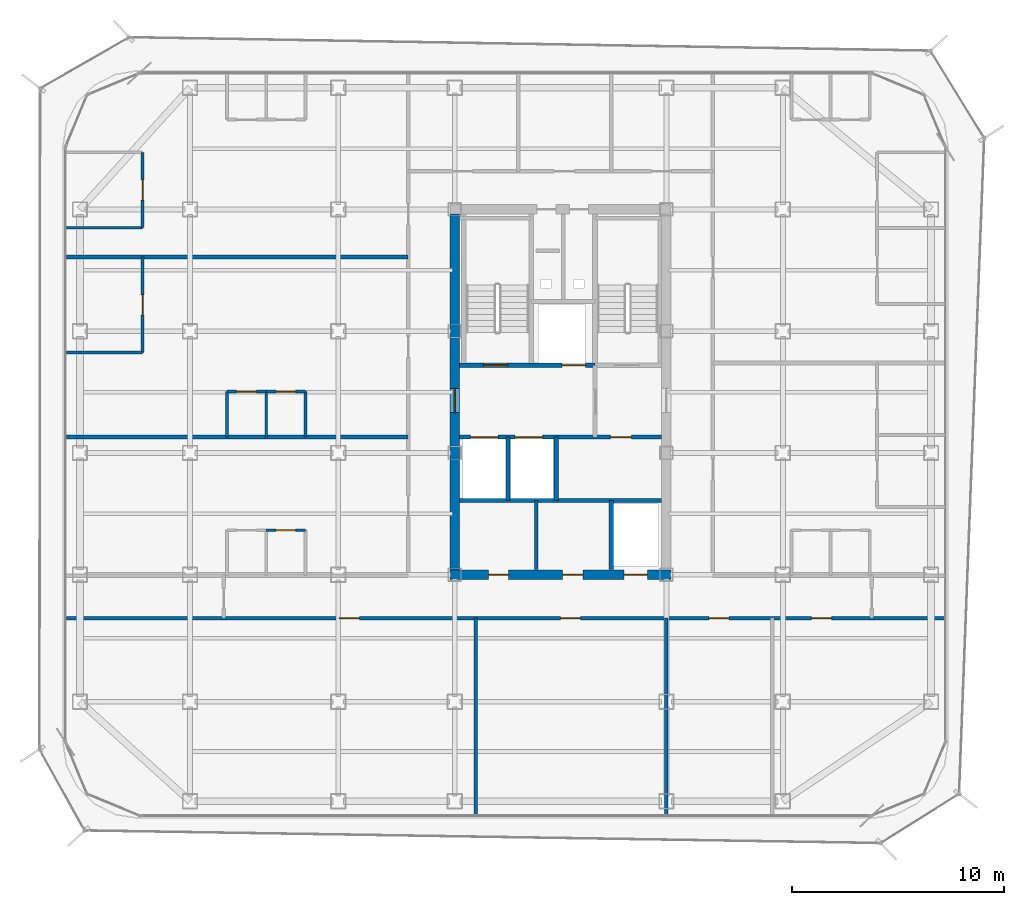
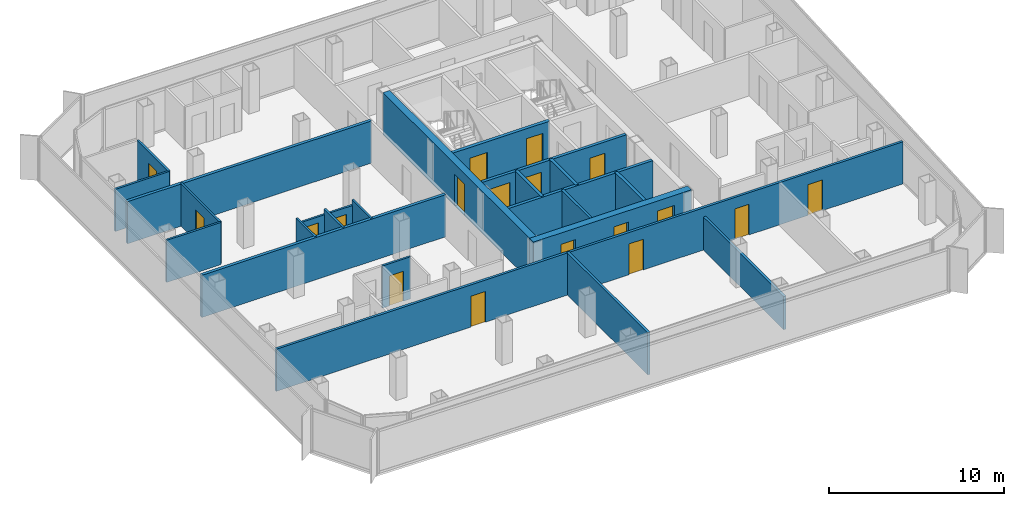
# One storey, part 10 of 15: 24 walls, 18 doors, 18 openings.
"""IFC4 building model written with IfcOpenShell, lengths in metres."""

from ifc_helpers import new_model, si_unit, direction, frame, frame_2d, origin, place, context, subcontext, project, spatial, rectangle, extrude, material, layer, layer_set, type_object, element, fill, save


model = new_model("IFC4")

# Units and contexts
model_context = context("Model", 3, precision=1e-05, world=origin(), true_north=direction((0.0, 1.0)))
body_context = subcontext(model_context, "Body", "Model", "MODEL_VIEW")
ifc_project = project(units=[si_unit("LENGTHUNIT", "METRE"), si_unit("AREAUNIT", "SQUARE_METRE"), si_unit("VOLUMEUNIT", "CUBIC_METRE"), si_unit("PLANEANGLEUNIT", "RADIAN"), si_unit("MASSUNIT", "GRAM", prefix="KILO")], contexts=[model_context])

# Site, building, storey
site_placement = place(None, origin())
site = spatial("IfcSite", under=ifc_project, at=site_placement, CompositionType="ELEMENT")
building_placement = place(site_placement, origin())
building = spatial("IfcBuilding", under=site, at=building_placement, Name="Kolveth Station Tower", CompositionType="ELEMENT")
storey_placement = place(building_placement, frame((0.0, 0.0, 172.10009765625)))
storey = spatial("IfcBuildingStorey", under=building, at=storey_placement, Name="L48", CompositionType="ELEMENT", Elevation=172.10009765625)

# Wall, openings, doors
ifc_material_1 = material(Name="Concrete C50/60", Category="concrete")
ifc_layer_1 = layer(ifc_material_1, 0.449951171875)
ifc_layer_set_1 = layer_set([ifc_layer_1], Name="Concrete C50/60")
wall_type_1 = type_object("IfcWallType", Name="Wall_CW-450", PredefinedType="SHEAR", material=ifc_layer_set_1)
wall_1_placement = place(storey_placement, frame((18.27490234375, 11.5, 0.0), z_axis=(0.0, 0.0, 1.0), x_axis=(1.0, 0.0, 0.0)))
wall_1 = element("IfcWall", 1, at=wall_1_placement, inside=storey, type_object=wall_type_1, Name="L48 Core RC Shear Wall S", PredefinedType="SHEAR", context=body_context, shape_type="SweptSolid", body=[
    extrude(rectangle(XDim=10.4501953125, YDim=0.449951171875, at=frame_2d((5.22509765625, 0.0))), origin(), (0.0, 0.0, 1.0), 2.949951171875),
])
opening_1_placement = place(wall_1_placement, frame((1.824951171875, 0.0, 0.0)))
opening_1 = element("IfcOpeningElement", 2, at=opening_1_placement, cuts=wall_1, Name="Opening ID1", PredefinedType="OPENING", context=body_context, shape_type="SweptSolid", body=[
    extrude(rectangle(XDim=0.949951171875, YDim=2.14990234375, at=frame_2d((0.47509765625, 1.074951171875))), frame((0.0, 0.23486328125, 0.0), z_axis=(0.0, -1.0, 0.0), x_axis=(1.0, 0.0, 0.0)), (0.0, 0.0, 1.0), 0.469970703125),
])
opening_2_placement = place(wall_1_placement, frame((5.324951171875, 0.0, 0.0)))
opening_2 = element("IfcOpeningElement", 3, at=opening_2_placement, cuts=wall_1, Name="Opening ID1", PredefinedType="OPENING", context=body_context, shape_type="SweptSolid", body=[
    extrude(rectangle(XDim=0.949951171875, YDim=2.14990234375, at=frame_2d((0.47509765625, 1.074951171875))), frame((0.0, 0.23486328125, 0.0), z_axis=(0.0, -1.0, 0.0), x_axis=(1.0, 0.0, 0.0)), (0.0, 0.0, 1.0), 0.469970703125),
])
opening_3_placement = place(wall_1_placement, frame((8.22509765625, 0.0, 0.0)))
opening_3 = element("IfcOpeningElement", 4, at=opening_3_placement, cuts=wall_1, Name="Opening LD1", PredefinedType="OPENING", context=body_context, shape_type="SweptSolid", body=[
    extrude(rectangle(XDim=1.10009765625, YDim=2.25, at=frame_2d((0.550048828125, 1.125))), frame((0.0, 0.23486328125, 0.0), z_axis=(0.0, -1.0, 0.0), x_axis=(1.0, 0.0, 0.0)), (0.0, 0.0, 1.0), 0.469970703125),
])
ifc_material_2 = material(Name="Acoustic hardwood leaf and aluminium frame", Category="wood")
door_type_1 = type_object("IfcDoorType", Name="Door_ID1", OperationType="NOTDEFINED", PredefinedType="DOOR", material=ifc_material_2)
door_1_placement = place(opening_1_placement, frame((0.949951171875, 0.0, 0.0), z_axis=(0.0, 0.0, 1.0), x_axis=(-1.0, 0.0, 0.0)))
door_1 = element("IfcDoor", 5, at=door_1_placement, inside=storey, type_object=door_type_1, Name="L48 Laundry Room Door", OperationType="SINGLE_SWING_LEFT", OverallHeight=2.14990234375, OverallWidth=0.949951171875, PredefinedType="DOOR", context=body_context, shape_type="SweptSolid", body=[
    extrude(rectangle(XDim=0.949951171875, YDim=2.14990234375, at=frame_2d((0.47509765625, 1.074951171875))), frame((0.0, 0.02490234375, 0.0), z_axis=(0.0, -1.0, 0.0), x_axis=(1.0, 0.0, 0.0)), (0.0, 0.0, 1.0), 0.050048828125),
])
fill(opening_1, door_1)
door_2_placement = place(opening_2_placement, frame((0.949951171875, 0.0, 0.0), z_axis=(0.0, 0.0, 1.0), x_axis=(-1.0, 0.0, 0.0)))
door_2 = element("IfcDoor", 6, at=door_2_placement, inside=storey, type_object=door_type_1, Name="L48 Parcel Room Door", OperationType="SINGLE_SWING_RIGHT", OverallHeight=2.14990234375, OverallWidth=0.949951171875, PredefinedType="DOOR", context=body_context, shape_type="SweptSolid", body=[
    extrude(rectangle(XDim=0.949951171875, YDim=2.14990234375, at=frame_2d((0.47509765625, 1.074951171875))), frame((0.0, 0.02490234375, 0.0), z_axis=(0.0, -1.0, 0.0), x_axis=(1.0, 0.0, 0.0)), (0.0, 0.0, 1.0), 0.050048828125),
])
fill(opening_2, door_2)
ifc_material_3 = material(Name="Brushed stainless steel sliding landing doors", Category="steel")
door_type_2 = type_object("IfcDoorType", Name="Door_LD1", OperationType="NOTDEFINED", PredefinedType="DOOR", material=ifc_material_3)
door_3_placement = place(opening_3_placement, frame((1.10009765625, 0.0, 0.0), z_axis=(0.0, 0.0, 1.0), x_axis=(-1.0, 0.0, 0.0)))
door_3 = element("IfcDoor", 7, at=door_3_placement, inside=storey, type_object=door_type_2, Name="L48 Lift PH1 Landing Door", OperationType="DOUBLE_DOOR_SLIDING", OverallHeight=2.25, OverallWidth=1.10009765625, PredefinedType="DOOR", context=body_context, shape_type="SweptSolid", body=[
    extrude(rectangle(XDim=1.10009765625, YDim=2.25, at=frame_2d((0.550048828125, 1.125))), frame((0.0, 0.02490234375, 0.0), z_axis=(0.0, -1.0, 0.0), x_axis=(1.0, 0.0, 0.0)), (0.0, 0.0, 1.0), 0.050048828125),
])
fill(opening_3, door_3)

# Wall, opening, door
wall_2_placement = place(storey_placement, frame((18.5, 11.72509765625, 0.0), z_axis=(0.0, 0.0, 1.0), x_axis=(0.0, 1.0, 0.0)))
wall_2 = element("IfcWall", 8, at=wall_2_placement, inside=storey, type_object=wall_type_1, Name="L48 Core RC Shear Wall W", PredefinedType="SHEAR", context=body_context, shape_type="SweptSolid", body=[
    extrude(rectangle(XDim=16.7998046875, YDim=0.449951171875, at=frame_2d((8.39990234375, 0.0))), origin(), (0.0, 0.0, 1.0), 2.949951171875),
])
opening_4_placement = place(wall_2_placement, frame((7.425048828125, 0.0, 0.0)))
opening_4 = element("IfcOpeningElement", 9, at=opening_4_placement, cuts=wall_2, Name="Opening FD1", PredefinedType="OPENING", context=body_context, shape_type="SweptSolid", body=[
    extrude(rectangle(XDim=1.14990234375, YDim=2.199951171875, at=frame_2d((0.574951171875, 1.10009765625))), frame((0.0, 0.23486328125, 0.0), z_axis=(0.0, -1.0, 0.0), x_axis=(1.0, 0.0, 0.0)), (0.0, 0.0, 1.0), 0.469970703125),
])
ifc_material_4 = material(Name="Fire-rated Steel S355 leaf and frame", Category="steel")
door_type_3 = type_object("IfcDoorType", Name="Door_FD1", OperationType="NOTDEFINED", PredefinedType="DOOR", material=ifc_material_4)
door_4_placement = place(opening_4_placement, frame((1.14990234375, 0.0, 0.0), z_axis=(0.0, 0.0, 1.0), x_axis=(-1.0, 0.0, 0.0)))
door_4 = element("IfcDoor", 10, at=door_4_placement, inside=storey, type_object=door_type_3, Name="L48 West Corridor to Firefighting Lobby Door", OperationType="SINGLE_SWING_LEFT", OverallHeight=2.199951171875, OverallWidth=1.14990234375, PredefinedType="DOOR", context=body_context, shape_type="SweptSolid", body=[
    extrude(rectangle(XDim=1.14990234375, YDim=2.199951171875, at=frame_2d((0.574951171875, 1.10009765625))), frame((0.0, 0.02490234375, 0.0), z_axis=(0.0, -1.0, 0.0), x_axis=(1.0, 0.0, 0.0)), (0.0, 0.0, 1.0), 0.050048828125),
])
fill(opening_4, door_4)

ifc_material_5 = material(Name="Moisture-resistant gypsum partition")
ifc_layer_2 = layer(ifc_material_5, 0.135009765625)
ifc_layer_set_2 = layer_set([ifc_layer_2], Name="Moisture-resistant gypsum partition")
wall_type_2 = type_object("IfcWallType", Name="Wall_IW-135", PredefinedType="PARTITIONING", material=ifc_layer_set_2)
wall_3_placement = place(storey_placement, frame((9.60009765625, 13.60009765625, 0.0), z_axis=(0.0, 0.0, 1.0), x_axis=(1.0, 0.0, 0.0)))
wall_3 = element("IfcWall", 11, at=wall_3_placement, inside=storey, type_object=wall_type_2, Name="L48 Partition Wall WL-L48-W1-IBHB", PredefinedType="PARTITIONING", context=body_context, shape_type="SweptSolid", body=[
    extrude(rectangle(XDim=1.849853515625, YDim=0.135009765625, at=frame_2d((0.9248046875, 0.0))), origin(), (0.0, 0.0, 1.0), 2.949951171875),
])
opening_5_placement = place(wall_3_placement, frame((0.465087890625, 0.0, 0.0)))
opening_5 = element("IfcOpeningElement", 12, at=opening_5_placement, cuts=wall_3, Name="Opening ID2", PredefinedType="OPENING", context=body_context, shape_type="SweptSolid", body=[
    extrude(rectangle(XDim=0.919921875, YDim=2.10009765625, at=frame_2d((0.4599609375, 1.050048828125))), frame((0.0, 0.077392578125, 0.0), z_axis=(0.0, -1.0, 0.0), x_axis=(1.0, 0.0, 0.0)), (0.0, 0.0, 1.0), 0.155029296875),
])
ifc_material_6 = material(Name="Moisture-resistant hardwood leaf", Category="wood")
door_type_4 = type_object("IfcDoorType", Name="Door_ID2", OperationType="NOTDEFINED", PredefinedType="DOOR", material=ifc_material_6)
door_5_placement = place(opening_5_placement, origin())
door_5 = element("IfcDoor", 13, at=door_5_placement, inside=storey, type_object=door_type_4, Name="Penthouse Flat L48-W1 Bathroom Door", OperationType="SINGLE_SWING_RIGHT", OverallHeight=2.10009765625, OverallWidth=0.919921875, PredefinedType="DOOR", context=body_context, shape_type="SweptSolid", body=[
    extrude(rectangle(XDim=0.919921875, YDim=2.10009765625, at=frame_2d((0.4599609375, 1.050048828125))), frame((0.0, 0.02490234375, 0.0), z_axis=(0.0, -1.0, 0.0), x_axis=(1.0, 0.0, 0.0)), (0.0, 0.0, 1.0), 0.050048828125),
])
fill(opening_5, door_5)

wall_4_placement = place(storey_placement, frame((7.75, 20.14990234375, 0.0), z_axis=(0.0, 0.0, 1.0), x_axis=(1.0, 0.0, 0.0)))
wall_4 = element("IfcWall", 14, at=wall_4_placement, inside=storey, type_object=wall_type_2, Name="L48 Partition Wall WL-L48-W2-IBHK", PredefinedType="PARTITIONING", context=body_context, shape_type="SweptSolid", body=[
    extrude(rectangle(XDim=1.85009765625, YDim=0.135009765625, at=frame_2d((0.925048828125, 0.0))), origin(), (0.0, 0.0, 1.0), 2.5830078125),
])
opening_6_placement = place(wall_4_placement, frame((0.445068359375, 0.0, 0.0)))
opening_6 = element("IfcOpeningElement", 15, at=opening_6_placement, cuts=wall_4, Name="Opening ID1", PredefinedType="OPENING", context=body_context, shape_type="SweptSolid", body=[
    extrude(rectangle(XDim=0.949951171875, YDim=2.14990234375, at=frame_2d((0.47509765625, 1.074951171875))), frame((0.0, 0.077392578125, 0.0), z_axis=(0.0, -1.0, 0.0), x_axis=(1.0, 0.0, 0.0)), (0.0, 0.0, 1.0), 0.155029296875),
])
door_6_placement = place(opening_6_placement, origin())
door_6 = element("IfcDoor", 16, at=door_6_placement, inside=storey, type_object=door_type_1, Name="Penthouse Flat L48-W2 Kitchen Door", OperationType="SINGLE_SWING_RIGHT", OverallHeight=2.14990234375, OverallWidth=0.949951171875, PredefinedType="DOOR", context=body_context, shape_type="SweptSolid", body=[
    extrude(rectangle(XDim=0.949951171875, YDim=2.14990234375, at=frame_2d((0.47509765625, 1.074951171875))), frame((0.0, 0.02490234375, 0.0), z_axis=(0.0, -1.0, 0.0), x_axis=(1.0, 0.0, 0.0)), (0.0, 0.0, 1.0), 0.050048828125),
])
fill(opening_6, door_6)

wall_5_placement = place(storey_placement, frame((9.60009765625, 20.14990234375, 0.0), z_axis=(0.0, 0.0, 1.0), x_axis=(1.0, 0.0, 0.0)))
wall_5 = element("IfcWall", 17, at=wall_5_placement, inside=storey, type_object=wall_type_2, Name="L48 Partition Wall WL-L48-W2-IBHB", PredefinedType="PARTITIONING", context=body_context, shape_type="SweptSolid", body=[
    extrude(rectangle(XDim=1.849853515625, YDim=0.135009765625, at=frame_2d((0.9248046875, 0.0))), origin(), (0.0, 0.0, 1.0), 2.5830078125),
])
opening_7_placement = place(wall_5_placement, frame((0.465087890625, 0.0, 0.0)))
opening_7 = element("IfcOpeningElement", 18, at=opening_7_placement, cuts=wall_5, Name="Opening ID2", PredefinedType="OPENING", context=body_context, shape_type="SweptSolid", body=[
    extrude(rectangle(XDim=0.919921875, YDim=2.10009765625, at=frame_2d((0.4599609375, 1.050048828125))), frame((0.0, 0.077392578125, 0.0), z_axis=(0.0, -1.0, 0.0), x_axis=(1.0, 0.0, 0.0)), (0.0, 0.0, 1.0), 0.155029296875),
])
door_7_placement = place(opening_7_placement, origin())
door_7 = element("IfcDoor", 19, at=door_7_placement, inside=storey, type_object=door_type_4, Name="Penthouse Flat L48-W2 Bathroom Door", OperationType="SINGLE_SWING_LEFT", OverallHeight=2.10009765625, OverallWidth=0.919921875, PredefinedType="DOOR", context=body_context, shape_type="SweptSolid", body=[
    extrude(rectangle(XDim=0.919921875, YDim=2.10009765625, at=frame_2d((0.4599609375, 1.050048828125))), frame((0.0, 0.02490234375, 0.0), z_axis=(0.0, -1.0, 0.0), x_axis=(1.0, 0.0, 0.0)), (0.0, 0.0, 1.0), 0.050048828125),
])
fill(opening_7, door_7)

# Walls
for number, where, z_axis, x_axis, name in (
    (20, (7.75, 18.0, 0.0), (0.0, 0.0, 1.0), (0.0, 1.0, 0.0), "L48 Partition Wall WL-L48-W2-IBV0"),
    (21, (9.60009765625, 18.0, 0.0), (0.0, 0.0, 1.0), (0.0, 1.0, 0.0), "L48 Partition Wall WL-L48-W2-IBV1"),
    (22, (11.449951171875, 18.0, 0.0), (0.0, 0.0, 1.0), (0.0, 1.0, 0.0), "L48 Partition Wall WL-L48-W2-IBV2"),
):
    element("IfcWall", number, at=place(storey_placement, frame(where, z_axis=z_axis, x_axis=x_axis)), inside=storey, type_object=wall_type_2, Name=name, PredefinedType="PARTITIONING", context=body_context, shape_type="SweptSolid", body=[
        extrude(rectangle(XDim=2.14990234375, YDim=0.135009765625, at=frame_2d((1.074951171875, 0.0))), origin(), (0.0, 0.0, 1.0), 2.949951171875),
    ])
wall_6_placement = place(storey_placement, frame((0.159912109375, 22.0, 0.0), z_axis=(0.0, 0.0, 1.0), x_axis=(1.0, 0.0, 0.0)))
element("IfcWall", 23, at=wall_6_placement, inside=storey, type_object=wall_type_2, Name="L48 Partition Wall WL-L48-W2-BDH0", PredefinedType="PARTITIONING", context=body_context, shape_type="SweptSolid", body=[
    extrude(rectangle(XDim=3.60009765625, YDim=0.135009765625, at=frame_2d((1.800048828125, 0.0))), origin(), (0.0, 0.0, 1.0), 2.949951171875),
])

# Wall, opening, door
wall_7_placement = place(storey_placement, frame((3.760009765625, 22.0, 0.0), z_axis=(0.0, 0.0, 1.0), x_axis=(0.0, 1.0, 0.0)))
wall_7 = element("IfcWall", 24, at=wall_7_placement, inside=storey, type_object=wall_type_2, Name="L48 Partition Wall WL-L48-W2-BDV1", PredefinedType="PARTITIONING", context=body_context, shape_type="SweptSolid", body=[
    extrude(rectangle(XDim=4.5, YDim=0.135009765625, at=frame_2d((2.25, 0.0))), origin(), (0.0, 0.0, 1.0), 2.949951171875),
])
opening_8_placement = place(wall_7_placement, frame((1.77001953125, 0.0, 0.0)))
opening_8 = element("IfcOpeningElement", 25, at=opening_8_placement, cuts=wall_7, Name="Opening ID1", PredefinedType="OPENING", context=body_context, shape_type="SweptSolid", body=[
    extrude(rectangle(XDim=0.949951171875, YDim=2.14990234375, at=frame_2d((0.47509765625, 1.074951171875))), frame((0.0, 0.077392578125, 0.0), z_axis=(0.0, -1.0, 0.0), x_axis=(1.0, 0.0, 0.0)), (0.0, 0.0, 1.0), 0.155029296875),
])
door_8_placement = place(opening_8_placement, origin())
door_8 = element("IfcDoor", 26, at=door_8_placement, inside=storey, type_object=door_type_1, Name="Penthouse Flat L48-W2 Bedroom 1 Door", OperationType="SINGLE_SWING_RIGHT", OverallHeight=2.14990234375, OverallWidth=0.949951171875, PredefinedType="DOOR", context=body_context, shape_type="SweptSolid", body=[
    extrude(rectangle(XDim=0.949951171875, YDim=2.14990234375, at=frame_2d((0.47509765625, 1.074951171875))), frame((0.0, 0.02490234375, 0.0), z_axis=(0.0, -1.0, 0.0), x_axis=(1.0, 0.0, 0.0)), (0.0, 0.0, 1.0), 0.050048828125),
])
fill(opening_8, door_8)

# Wall
wall_8_placement = place(storey_placement, frame((0.159912109375, 27.885986328125, 0.0), z_axis=(0.0, 0.0, 1.0), x_axis=(1.0, 0.0, 0.0)))
element("IfcWall", 27, at=wall_8_placement, inside=storey, type_object=wall_type_2, Name="L48 Partition Wall WL-L48-W3-BDH0", PredefinedType="PARTITIONING", context=body_context, shape_type="SweptSolid", body=[
    extrude(rectangle(XDim=3.60009765625, YDim=0.135009765625, at=frame_2d((1.800048828125, 0.0))), origin(), (0.0, 0.0, 1.0), 2.949951171875),
])

# Wall, opening, door
wall_9_placement = place(storey_placement, frame((3.760009765625, 27.885986328125, 0.0), z_axis=(0.0, 0.0, 1.0), x_axis=(0.0, 1.0, 0.0)))
wall_9 = element("IfcWall", 28, at=wall_9_placement, inside=storey, type_object=wall_type_2, Name="L48 Partition Wall WL-L48-W3-BDV1", PredefinedType="PARTITIONING", context=body_context, shape_type="SweptSolid", body=[
    extrude(rectangle(XDim=3.56396484375, YDim=0.135009765625, at=frame_2d((1.781982421875, 0.0))), origin(), (0.0, 0.0, 1.0), 2.949951171875),
])
opening_9_placement = place(wall_9_placement, frame((1.302001953125, 0.0, 0.0)))
opening_9 = element("IfcOpeningElement", 29, at=opening_9_placement, cuts=wall_9, Name="Opening ID1", PredefinedType="OPENING", context=body_context, shape_type="SweptSolid", body=[
    extrude(rectangle(XDim=0.949951171875, YDim=2.14990234375, at=frame_2d((0.47509765625, 1.074951171875))), frame((0.0, 0.077392578125, 0.0), z_axis=(0.0, -1.0, 0.0), x_axis=(1.0, 0.0, 0.0)), (0.0, 0.0, 1.0), 0.155029296875),
])
door_9_placement = place(opening_9_placement, origin())
door_9 = element("IfcDoor", 30, at=door_9_placement, inside=storey, type_object=door_type_1, Name="Penthouse Flat L48-W3 Bedroom 1 Door", OperationType="SINGLE_SWING_RIGHT", OverallHeight=2.14990234375, OverallWidth=0.949951171875, PredefinedType="DOOR", context=body_context, shape_type="SweptSolid", body=[
    extrude(rectangle(XDim=0.949951171875, YDim=2.14990234375, at=frame_2d((0.47509765625, 1.074951171875))), frame((0.0, 0.02490234375, 0.0), z_axis=(0.0, -1.0, 0.0), x_axis=(1.0, 0.0, 0.0)), (0.0, 0.0, 1.0), 0.050048828125),
])
fill(opening_9, door_9)

# Wall
ifc_material_7 = material(Name="Acoustic double-stud gypsum partition")
ifc_layer_3 = layer(ifc_material_7, 0.1650390625)
ifc_layer_set_3 = layer_set([ifc_layer_3], Name="Acoustic double-stud gypsum partition")
wall_type_3 = type_object("IfcWallType", Name="Wall_IW-165", PredefinedType="PARTITIONING", material=ifc_layer_set_3)
wall_10_placement = place(storey_placement, frame((22.35009765625, 11.735107421875, 0.0), z_axis=(0.0, 0.0, 1.0), x_axis=(0.0, 1.0, 0.0)))
element("IfcWall", 31, at=wall_10_placement, inside=storey, type_object=wall_type_3, Name="L48 Partition Wall WL-L48-FR-M", PredefinedType="PARTITIONING", context=body_context, shape_type="SweptSolid", body=[
    extrude(rectangle(XDim=3.264892578125, YDim=0.1650390625, at=frame_2d((1.63232421875, 0.0))), origin(), (0.0, 0.0, 1.0), 2.949951171875),
])

# Wall, openings, doors
wall_11_placement = place(storey_placement, frame((0.159912109375, 9.449951171875, 0.0), z_axis=(0.0, 0.0, 1.0), x_axis=(1.0, 0.0, 0.0)))
wall_11 = element("IfcWall", 32, at=wall_11_placement, inside=storey, type_object=wall_type_3, Name="L48 Partition Wall WL-L48-RS", PredefinedType="PARTITIONING", context=body_context, shape_type="SweptSolid", body=[
    extrude(rectangle(XDim=41.47998046875, YDim=0.1650390625, at=frame_2d((20.739990234375, 0.0))), origin(), (0.0, 0.0, 1.0), 2.949951171875),
])
opening_10_placement = place(wall_11_placement, frame((12.889892578125, 0.0, 0.0)))
opening_10 = element("IfcOpeningElement", 33, at=opening_10_placement, cuts=wall_11, Name="Opening ID1", PredefinedType="OPENING", context=body_context, shape_type="SweptSolid", body=[
    extrude(rectangle(XDim=0.949951171875, YDim=2.14990234375, at=frame_2d((0.47509765625, 1.074951171875))), frame((0.0, 0.092529296875, 0.0), z_axis=(0.0, -1.0, 0.0), x_axis=(1.0, 0.0, 0.0)), (0.0, 0.0, 1.0), 0.18505859375),
])
opening_11_placement = place(wall_11_placement, frame((23.340087890625, 0.0, 0.0)))
opening_11 = element("IfcOpeningElement", 34, at=opening_11_placement, cuts=wall_11, Name="Opening ID1", PredefinedType="OPENING", context=body_context, shape_type="SweptSolid", body=[
    extrude(rectangle(XDim=0.949951171875, YDim=2.14990234375, at=frame_2d((0.47509765625, 1.074951171875))), frame((0.0, 0.092529296875, 0.0), z_axis=(0.0, -1.0, 0.0), x_axis=(1.0, 0.0, 0.0)), (0.0, 0.0, 1.0), 0.18505859375),
])
opening_12_placement = place(wall_11_placement, frame((30.340087890625, 0.0, 0.0)))
opening_12 = element("IfcOpeningElement", 35, at=opening_12_placement, cuts=wall_11, Name="Opening ID1", PredefinedType="OPENING", context=body_context, shape_type="SweptSolid", body=[
    extrude(rectangle(XDim=0.949951171875, YDim=2.14990234375, at=frame_2d((0.47509765625, 1.074951171875))), frame((0.0, 0.092529296875, 0.0), z_axis=(0.0, -1.0, 0.0), x_axis=(1.0, 0.0, 0.0)), (0.0, 0.0, 1.0), 0.18505859375),
])
opening_13_placement = place(wall_11_placement, frame((35.18994140625, 0.0, 0.0)))
opening_13 = element("IfcOpeningElement", 36, at=opening_13_placement, cuts=wall_11, Name="Opening ID1", PredefinedType="OPENING", context=body_context, shape_type="SweptSolid", body=[
    extrude(rectangle(XDim=0.949951171875, YDim=2.14990234375, at=frame_2d((0.47509765625, 1.074951171875))), frame((0.0, 0.092529296875, 0.0), z_axis=(0.0, -1.0, 0.0), x_axis=(1.0, 0.0, 0.0)), (0.0, 0.0, 1.0), 0.18505859375),
])
door_10_placement = place(opening_10_placement, frame((0.949951171875, 0.0, 0.0), z_axis=(0.0, 0.0, 1.0), x_axis=(-1.0, 0.0, 0.0)))
door_10 = element("IfcDoor", 37, at=door_10_placement, inside=storey, type_object=door_type_1, Name="L48 Residents' Fitness Gymnasium Door", OperationType="SINGLE_SWING_LEFT", OverallHeight=2.14990234375, OverallWidth=0.949951171875, PredefinedType="DOOR", context=body_context, shape_type="SweptSolid", body=[
    extrude(rectangle(XDim=0.949951171875, YDim=2.14990234375, at=frame_2d((0.47509765625, 1.074951171875))), frame((0.0, 0.02490234375, 0.0), z_axis=(0.0, -1.0, 0.0), x_axis=(1.0, 0.0, 0.0)), (0.0, 0.0, 1.0), 0.050048828125),
])
fill(opening_10, door_10)
door_11_placement = place(opening_11_placement, frame((0.949951171875, 0.0, 0.0), z_axis=(0.0, 0.0, 1.0), x_axis=(-1.0, 0.0, 0.0)))
door_11 = element("IfcDoor", 38, at=door_11_placement, inside=storey, type_object=door_type_1, Name="L48 Residents' Reading Library Door", OperationType="SINGLE_SWING_RIGHT", OverallHeight=2.14990234375, OverallWidth=0.949951171875, PredefinedType="DOOR", context=body_context, shape_type="SweptSolid", body=[
    extrude(rectangle(XDim=0.949951171875, YDim=2.14990234375, at=frame_2d((0.47509765625, 1.074951171875))), frame((0.0, 0.02490234375, 0.0), z_axis=(0.0, -1.0, 0.0), x_axis=(1.0, 0.0, 0.0)), (0.0, 0.0, 1.0), 0.050048828125),
])
fill(opening_11, door_11)
door_12_placement = place(opening_12_placement, frame((0.949951171875, 0.0, 0.0), z_axis=(0.0, 0.0, 1.0), x_axis=(-1.0, 0.0, 0.0)))
door_12 = element("IfcDoor", 39, at=door_12_placement, inside=storey, type_object=door_type_1, Name="L48 Residents' Pantry Door", OperationType="SINGLE_SWING_LEFT", OverallHeight=2.14990234375, OverallWidth=0.949951171875, PredefinedType="DOOR", context=body_context, shape_type="SweptSolid", body=[
    extrude(rectangle(XDim=0.949951171875, YDim=2.14990234375, at=frame_2d((0.47509765625, 1.074951171875))), frame((0.0, 0.02490234375, 0.0), z_axis=(0.0, -1.0, 0.0), x_axis=(1.0, 0.0, 0.0)), (0.0, 0.0, 1.0), 0.050048828125),
])
fill(opening_12, door_12)
door_13_placement = place(opening_13_placement, frame((0.949951171875, 0.0, 0.0), z_axis=(0.0, 0.0, 1.0), x_axis=(-1.0, 0.0, 0.0)))
door_13 = element("IfcDoor", 40, at=door_13_placement, inside=storey, type_object=door_type_1, Name="L48 Residents' Lounge Door", OperationType="SINGLE_SWING_LEFT", OverallHeight=2.14990234375, OverallWidth=0.949951171875, PredefinedType="DOOR", context=body_context, shape_type="SweptSolid", body=[
    extrude(rectangle(XDim=0.949951171875, YDim=2.14990234375, at=frame_2d((0.47509765625, 1.074951171875))), frame((0.0, 0.02490234375, 0.0), z_axis=(0.0, -1.0, 0.0), x_axis=(1.0, 0.0, 0.0)), (0.0, 0.0, 1.0), 0.050048828125),
])
fill(opening_13, door_13)

# Walls
wall_12_placement = place(storey_placement, frame((19.5, 0.159912109375, 0.0), z_axis=(0.0, 0.0, 1.0), x_axis=(0.0, 1.0, 0.0)))
element("IfcWall", 41, at=wall_12_placement, inside=storey, type_object=wall_type_3, Name="L48 Partition Wall WL-L48-RSA-P1", PredefinedType="PARTITIONING", context=body_context, shape_type="SweptSolid", body=[
    extrude(rectangle(XDim=9.2900390625, YDim=0.1650390625, at=frame_2d((4.64501953125, 0.0))), origin(), (0.0, 0.0, 1.0), 2.949951171875),
])
wall_13_placement = place(storey_placement, frame((28.5, 0.159912109375, 0.0), z_axis=(0.0, 0.0, 1.0), x_axis=(0.0, 1.0, 0.0)))
element("IfcWall", 42, at=wall_13_placement, inside=storey, type_object=wall_type_3, Name="L48 Partition Wall WL-L48-RSA-P2", PredefinedType="PARTITIONING", context=body_context, shape_type="SweptSolid", body=[
    extrude(rectangle(XDim=9.2900390625, YDim=0.1650390625, at=frame_2d((4.64501953125, 0.0))), origin(), (0.0, 0.0, 1.0), 2.322998046875),
])

# Wall, openings, doors
ifc_material_8 = material(Name="Acoustic fire-rated gypsum blockwork", Category="masonry")
ifc_layer_4 = layer(ifc_material_8, 0.199951171875)
ifc_layer_set_4 = layer_set([ifc_layer_4], Name="Acoustic fire-rated gypsum blockwork")
wall_type_4 = type_object("IfcWallType", Name="Wall_IW-200", PredefinedType="PARTITIONING", material=ifc_layer_set_4)
wall_14_placement = place(storey_placement, frame((18.735107421875, 18.0, 0.0), z_axis=(0.0, 0.0, 1.0), x_axis=(1.0, 0.0, 0.0)))
wall_14 = element("IfcWall", 43, at=wall_14_placement, inside=storey, type_object=wall_type_4, Name="L48 Partition Wall WL-L48-FFL-S", PredefinedType="PARTITIONING", context=body_context, shape_type="SweptSolid", body=[
    extrude(rectangle(XDim=9.52978515625, YDim=0.199951171875, at=frame_2d((4.764892578125, 0.0))), origin(), (0.0, 0.0, 1.0), 2.949951171875),
])
opening_14_placement = place(wall_14_placement, frame((0.514892578125, 0.0, 0.0)))
opening_14 = element("IfcOpeningElement", 44, at=opening_14_placement, cuts=wall_14, Name="Opening LD2", PredefinedType="OPENING", context=body_context, shape_type="SweptSolid", body=[
    extrude(rectangle(XDim=1.300048828125, YDim=2.300048828125, at=frame_2d((0.64990234375, 1.14990234375))), frame((0.0, 0.10986328125, 0.0), z_axis=(0.0, -1.0, 0.0), x_axis=(1.0, 0.0, 0.0)), (0.0, 0.0, 1.0), 0.219970703125),
])
opening_15_placement = place(wall_14_placement, frame((2.614990234375, 0.0, 0.0)))
opening_15 = element("IfcOpeningElement", 45, at=opening_15_placement, cuts=wall_14, Name="Opening LD2", PredefinedType="OPENING", context=body_context, shape_type="SweptSolid", body=[
    extrude(rectangle(XDim=1.300048828125, YDim=2.300048828125, at=frame_2d((0.64990234375, 1.14990234375))), frame((0.0, 0.10986328125, 0.0), z_axis=(0.0, -1.0, 0.0), x_axis=(1.0, 0.0, 0.0)), (0.0, 0.0, 1.0), 0.219970703125),
])
opening_16_placement = place(wall_14_placement, frame((7.114990234375, 0.0, 0.0)))
opening_16 = element("IfcOpeningElement", 46, at=opening_16_placement, cuts=wall_14, Name="Opening FD3", PredefinedType="OPENING", context=body_context, shape_type="SweptSolid", body=[
    extrude(rectangle(XDim=1.0, YDim=2.14990234375, at=frame_2d((0.5, 1.074951171875))), frame((0.0, 0.10986328125, 0.0), z_axis=(0.0, -1.0, 0.0), x_axis=(1.0, 0.0, 0.0)), (0.0, 0.0, 1.0), 0.219970703125),
])
ifc_material_9 = material(Name="Fire-rated hardwood leaf and aluminium frame", Category="wood")
door_type_5 = type_object("IfcDoorType", Name="Door_FD3", OperationType="NOTDEFINED", PredefinedType="DOOR", material=ifc_material_9)
door_14_placement = place(opening_16_placement, frame((1.0, 0.0, 0.0), z_axis=(0.0, 0.0, 1.0), x_axis=(-1.0, 0.0, 0.0)))
door_14 = element("IfcDoor", 47, at=door_14_placement, inside=storey, type_object=door_type_5, Name="L48 Core Staff Pantry Door", OperationType="SINGLE_SWING_LEFT", OverallHeight=2.14990234375, OverallWidth=1.0, PredefinedType="DOOR", context=body_context, shape_type="SweptSolid", body=[
    extrude(rectangle(XDim=1.0, YDim=2.14990234375, at=frame_2d((0.5, 1.074951171875))), frame((0.0, 0.02490234375, 0.0), z_axis=(0.0, -1.0, 0.0), x_axis=(1.0, 0.0, 0.0)), (0.0, 0.0, 1.0), 0.050048828125),
])
fill(opening_16, door_14)
ifc_material_10 = material(Name="Firefighting stainless steel sliding landing doors", Category="steel")
door_type_6 = type_object("IfcDoorType", Name="Door_LD2", OperationType="NOTDEFINED", PredefinedType="DOOR", material=ifc_material_10)
door_15_placement = place(opening_14_placement, origin())
door_15 = element("IfcDoor", 48, at=door_15_placement, inside=storey, type_object=door_type_6, Name="L48 Firefighting Lift FF1 Landing Door", OperationType="DOUBLE_DOOR_SLIDING", OverallHeight=2.300048828125, OverallWidth=1.300048828125, PredefinedType="DOOR", context=body_context, shape_type="SweptSolid", body=[
    extrude(rectangle(XDim=1.300048828125, YDim=2.300048828125, at=frame_2d((0.64990234375, 1.14990234375))), frame((0.0, 0.02490234375, 0.0), z_axis=(0.0, -1.0, 0.0), x_axis=(1.0, 0.0, 0.0)), (0.0, 0.0, 1.0), 0.050048828125),
])
fill(opening_14, door_15)
door_16_placement = place(opening_15_placement, origin())
door_16 = element("IfcDoor", 49, at=door_16_placement, inside=storey, type_object=door_type_6, Name="L48 Firefighting Lift FF2 Landing Door", OperationType="DOUBLE_DOOR_SLIDING", OverallHeight=2.300048828125, OverallWidth=1.300048828125, PredefinedType="DOOR", context=body_context, shape_type="SweptSolid", body=[
    extrude(rectangle(XDim=1.300048828125, YDim=2.300048828125, at=frame_2d((0.64990234375, 1.14990234375))), frame((0.0, 0.02490234375, 0.0), z_axis=(0.0, -1.0, 0.0), x_axis=(1.0, 0.0, 0.0)), (0.0, 0.0, 1.0), 0.050048828125),
])
fill(opening_15, door_16)

# Walls
for number, where, z_axis, x_axis, name in (
    (50, (21.02001953125, 15.0, 0.0), (0.0, 0.0, 1.0), (0.0, 1.0, 0.0), "L48 Partition Wall WL-L48-FF12"),
    (51, (23.300048828125, 15.0, 0.0), (0.0, 0.0, 1.0), (0.0, 1.0, 0.0), "L48 Partition Wall WL-L48-FF2E"),
):
    element("IfcWall", number, at=place(storey_placement, frame(where, z_axis=z_axis, x_axis=x_axis)), inside=storey, type_object=wall_type_4, Name=name, PredefinedType="PARTITIONING", context=body_context, shape_type="SweptSolid", body=[
        extrude(rectangle(XDim=3.0, YDim=0.199951171875, at=frame_2d((1.5, 0.0))), origin(), (0.0, 0.0, 1.0), 2.949951171875),
    ])
wall_15_placement = place(storey_placement, frame((18.735107421875, 15.0, 0.0), z_axis=(0.0, 0.0, 1.0), x_axis=(1.0, 0.0, 0.0)))
element("IfcWall", 52, at=wall_15_placement, inside=storey, type_object=wall_type_4, Name="L48 Partition Wall WL-L48-BOH-S", PredefinedType="PARTITIONING", context=body_context, shape_type="SweptSolid", body=[
    extrude(rectangle(XDim=9.52978515625, YDim=0.199951171875, at=frame_2d((4.764892578125, 0.0))), origin(), (0.0, 0.0, 1.0), 2.949951171875),
])
wall_16_placement = place(storey_placement, frame((25.89990234375, 11.735107421875, 0.0), z_axis=(0.0, 0.0, 1.0), x_axis=(0.0, 1.0, 0.0)))
element("IfcWall", 53, at=wall_16_placement, inside=storey, type_object=wall_type_4, Name="L48 Partition Wall WL-L48-PMPH", PredefinedType="PARTITIONING", context=body_context, shape_type="SweptSolid", body=[
    extrude(rectangle(XDim=3.264892578125, YDim=0.199951171875, at=frame_2d((1.63232421875, 0.0))), origin(), (0.0, 0.0, 1.0), 2.949951171875),
])
for number, where, z_axis, x_axis, name in (
    (54, (0.159912109375, 18.0, 0.0), (0.0, 0.0, 1.0), (1.0, 0.0, 0.0), "L48 Partition Wall WL-L48-RWU-1"),
    (55, (0.159912109375, 26.5, 0.0), (0.0, 0.0, 1.0), (1.0, 0.0, 0.0), "L48 Partition Wall WL-L48-RWU-2"),
):
    element("IfcWall", number, at=place(storey_placement, frame(where, z_axis=z_axis, x_axis=x_axis)), inside=storey, type_object=wall_type_4, Name=name, PredefinedType="PARTITIONING", context=body_context, shape_type="SweptSolid", body=[
        extrude(rectangle(XDim=16.14013671875, YDim=0.199951171875, at=frame_2d((8.070068359375, 0.0))), origin(), (0.0, 0.0, 1.0), 2.949951171875),
    ])

# Wall, openings, doors
ifc_material_11 = material(Name="Concrete C40/50", Category="concrete")
ifc_layer_5 = layer(ifc_material_11, 0.219970703125)
ifc_layer_set_5 = layer_set([ifc_layer_5], Name="Concrete C40/50")
wall_type_5 = type_object("IfcWallType", Name="Wall_IW-220", PredefinedType="SOLIDWALL", material=ifc_layer_set_5)
wall_17_placement = place(storey_placement, frame((18.735107421875, 21.389892578125, 0.0), z_axis=(0.0, 0.0, 1.0), x_axis=(1.0, 0.0, 0.0)))
wall_17 = element("IfcWall", 56, at=wall_17_placement, inside=storey, type_object=wall_type_5, Name="L48 Stair Shaft Wall WL-L48-ST1-S", PredefinedType="SOLIDWALL", context=body_context, shape_type="SweptSolid", body=[
    extrude(rectangle(XDim=6.394775390625, YDim=0.219970703125, at=frame_2d((3.197265625, 0.0))), origin(), (0.0, 0.0, 1.0), 2.949951171875),
])
opening_17_placement = place(wall_17_placement, frame((1.114990234375, 0.0, 0.0)))
opening_17 = element("IfcOpeningElement", 57, at=opening_17_placement, cuts=wall_17, Name="Opening FD1", PredefinedType="OPENING", context=body_context, shape_type="SweptSolid", body=[
    extrude(rectangle(XDim=1.14990234375, YDim=2.199951171875, at=frame_2d((0.574951171875, 1.10009765625))), frame((0.0, 0.119873046875, 0.0), z_axis=(0.0, -1.0, 0.0), x_axis=(1.0, 0.0, 0.0)), (0.0, 0.0, 1.0), 0.239990234375),
])
opening_18_placement = place(wall_17_placement, frame((4.844970703125, 0.0, 0.0)))
opening_18 = element("IfcOpeningElement", 58, at=opening_18_placement, cuts=wall_17, Name="Opening LD1", PredefinedType="OPENING", context=body_context, shape_type="SweptSolid", body=[
    extrude(rectangle(XDim=1.10009765625, YDim=2.25, at=frame_2d((0.550048828125, 1.125))), frame((0.0, 0.119873046875, 0.0), z_axis=(0.0, -1.0, 0.0), x_axis=(1.0, 0.0, 0.0)), (0.0, 0.0, 1.0), 0.239990234375),
])
door_17_placement = place(opening_17_placement, frame((1.14990234375, 0.0, 0.0), z_axis=(0.0, 0.0, 1.0), x_axis=(-1.0, 0.0, 0.0)))
door_17 = element("IfcDoor", 59, at=door_17_placement, inside=storey, type_object=door_type_3, Name="L48 Stair ST1 Fire Door", OperationType="SINGLE_SWING_LEFT", OverallHeight=2.199951171875, OverallWidth=1.14990234375, PredefinedType="DOOR", context=body_context, shape_type="SweptSolid", body=[
    extrude(rectangle(XDim=1.14990234375, YDim=2.199951171875, at=frame_2d((0.574951171875, 1.10009765625))), frame((0.0, 0.02490234375, 0.0), z_axis=(0.0, -1.0, 0.0), x_axis=(1.0, 0.0, 0.0)), (0.0, 0.0, 1.0), 0.050048828125),
])
fill(opening_17, door_17)
door_18_placement = place(opening_18_placement, frame((1.10009765625, 0.0, 0.0), z_axis=(0.0, 0.0, 1.0), x_axis=(-1.0, 0.0, 0.0)))
door_18 = element("IfcDoor", 60, at=door_18_placement, inside=storey, type_object=door_type_2, Name="L48 Service Lift SV1 Landing Door", OperationType="DOUBLE_DOOR_SLIDING", OverallHeight=2.25, OverallWidth=1.10009765625, PredefinedType="DOOR", context=body_context, shape_type="SweptSolid", body=[
    extrude(rectangle(XDim=1.10009765625, YDim=2.25, at=frame_2d((0.550048828125, 1.125))), frame((0.0, 0.02490234375, 0.0), z_axis=(0.0, -1.0, 0.0), x_axis=(1.0, 0.0, 0.0)), (0.0, 0.0, 1.0), 0.050048828125),
])
fill(opening_18, door_18)

save(model, "model.ifc")
